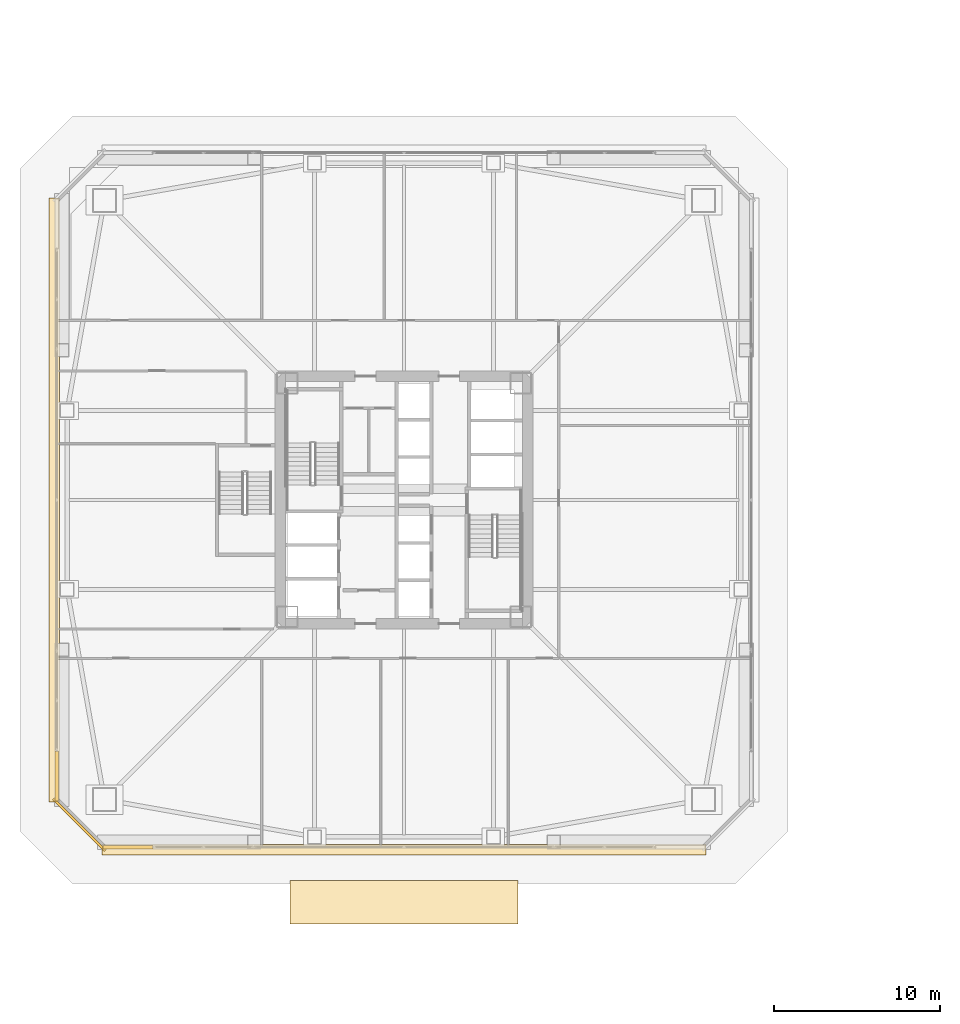
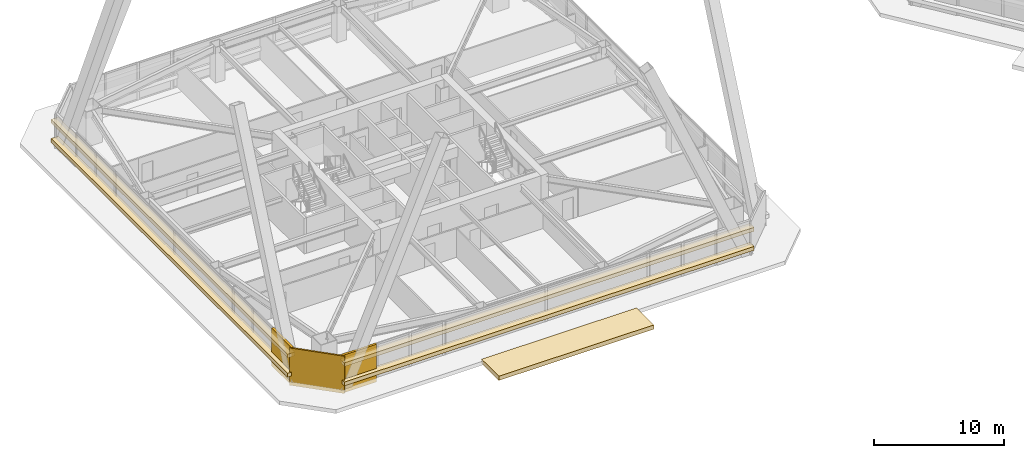
# One storey, part 61 of 67: 8 coverings.
"""IFC4 building model written with IfcOpenShell, lengths in metres."""

from ifc_helpers import new_model, si_unit, direction, frame, origin, origin_2d, place, context, subcontext, project, spatial, rectangle, extrude, material, layer, layer_set, type_object, element, save


model = new_model("IFC4")

# Units and contexts
model_context = context("Model", 3, precision=1e-05, world=origin(), true_north=direction((0.0, 1.0)))
body_context = subcontext(model_context, "Body", "Model", "MODEL_VIEW")
ifc_project = project(units=[si_unit("LENGTHUNIT", "METRE"), si_unit("AREAUNIT", "SQUARE_METRE"), si_unit("VOLUMEUNIT", "CUBIC_METRE"), si_unit("PLANEANGLEUNIT", "RADIAN"), si_unit("MASSUNIT", "GRAM", prefix="KILO")], contexts=[model_context])

# Site, building, storey
site_placement = place(None, origin())
site = spatial("IfcSite", under=ifc_project, at=site_placement, CompositionType="ELEMENT")
building_placement = place(site_placement, origin())
building = spatial("IfcBuilding", under=site, at=building_placement, Name="Tashvorn Skyway Center", CompositionType="ELEMENT")
storey_placement = place(building_placement, frame((0.0, 0.0, 67.199951171875)))
storey = spatial("IfcBuildingStorey", under=building, at=storey_placement, Name="L17", CompositionType="ELEMENT", Elevation=67.199951171875)

# Coverings
ifc_material_1 = material(Name="Precast concrete C40/50", Category="concrete")
ifc_layer_1 = layer(ifc_material_1, 0.199951171875)
ifc_layer_set_1 = layer_set([ifc_layer_1], Name="Precast concrete C40/50")
covering_type_1 = type_object("IfcCoveringType", Name="COV-BRACE-CLAD", PredefinedType="CLADDING", material=ifc_layer_set_1)
for number, where, z_axis, x_axis, name in (
    (1, (25.3349609375, 11.02001953125, 0.0), (0.0, 0.0, 1.0), (-1.0, 0.0, 0.0), "Tower 1 L17 South Unitised Curtain Wall Mega-Brace Cladding Band 2"),
    (2, (21.02001953125, 15.3349609375, 0.0), (0.0, 0.0, 1.0), (0.0, 1.0, 0.0), "Tower 1 L17 West Unitised Curtain Wall Mega-Brace Cladding Band 1"),
):
    element("IfcCovering", number, at=place(storey_placement, frame(where, z_axis=z_axis, x_axis=x_axis)), inside=storey, type_object=covering_type_1, Name=name, PredefinedType="CLADDING", context=body_context, shape_type="SweptSolid", body=[
        extrude(rectangle(XDim=3.030029296875, YDim=0.199951171875, at=origin_2d()), origin(), (0.0, 0.0, 1.0), 3.550048828125),
    ])
ifc_material_2 = material(Name="Perforated ceramic-coated bronze aluminium solar screen", Category="aluminium")
ifc_layer_2 = layer(ifc_material_2, 0.85009765625)
ifc_layer_set_2 = layer_set([ifc_layer_2], Name="Perforated ceramic-coated bronze aluminium solar screen")
covering_type_2 = type_object("IfcCoveringType", Name="COV-SOLAR-BAND", PredefinedType="CLADDING", material=ifc_layer_set_2)
for number, where, z_axis, x_axis, name in (
    (3, (42.0, 10.8798828125, 0.919921875), (0.0, 0.0, 1.0), (-1.0, 0.0, 0.0), "L17 Perforated Ceramic-Metal Solar Screen Louvre Band South 1"),
    (4, (42.0, 10.8798828125, 2.72021484375), (0.0, 0.0, 1.0), (-1.0, 0.0, 0.0), "L17 Perforated Ceramic-Metal Solar Screen Louvre Band South 2"),
    (5, (20.8798828125, 32.0, 0.919921875), (0.0, 0.0, 1.0), (0.0, 1.0, 0.0), "L17 Perforated Ceramic-Metal Solar Screen Louvre Band West 1"),
    (6, (20.8798828125, 32.0, 2.72021484375), (0.0, 0.0, 1.0), (0.0, 1.0, 0.0), "L17 Perforated Ceramic-Metal Solar Screen Louvre Band West 2"),
):
    element("IfcCovering", number, at=place(storey_placement, frame(where, z_axis=z_axis, x_axis=x_axis)), inside=storey, type_object=covering_type_2, Name=name, PredefinedType="CLADDING", context=body_context, shape_type="SweptSolid", body=[
        extrude(rectangle(XDim=36.47998046875, YDim=0.639892578125, at=origin_2d()), origin(), (0.0, 0.0, 1.0), 0.360107421875),
    ])
ifc_layer_3 = layer(ifc_material_1, 0.35009765625)
ifc_layer_set_3 = layer_set([ifc_layer_3], Name="Precast concrete C40/50")
covering_type_3 = type_object("IfcCoveringType", Name="COV-STONE-TRIM", PredefinedType="CLADDING", material=ifc_layer_set_3)
covering_1_placement = place(storey_placement, frame((42.0, 7.699951171875, 0.0), z_axis=(0.0, 0.0, 1.0), x_axis=(-1.0, 0.0, 0.0)))
element("IfcCovering", 7, at=covering_1_placement, inside=storey, type_object=covering_type_3, Name="Tower 1 L16 Sky Garden Terracotta Canopy Hood", PredefinedType="CLADDING", context=body_context, shape_type="SweptSolid", body=[
    extrude(rectangle(XDim=13.800048828125, YDim=2.64990234375, at=origin_2d()), origin(), (0.0, 0.0, 1.0), 0.39990234375),
])
covering_2_placement = place(storey_placement, frame((22.3798828125, 12.3798828125, 0.02001953125), z_axis=(0.0, 0.0, 1.0), x_axis=(-0.707106781187, 0.707106781187, 0.0)))
element("IfcCovering", 8, at=covering_2_placement, inside=storey, type_object=covering_type_3, Name="Tower 1 L17 SW Mojave Limestone Corner Quoin", PredefinedType="CLADDING", context=body_context, shape_type="SweptSolid", body=[
    extrude(rectangle(XDim=4.402587890625, YDim=0.139892578125, at=origin_2d()), origin(), (0.0, 0.0, 1.0), 3.510009765625),
])

save(model, "model.ifc")
